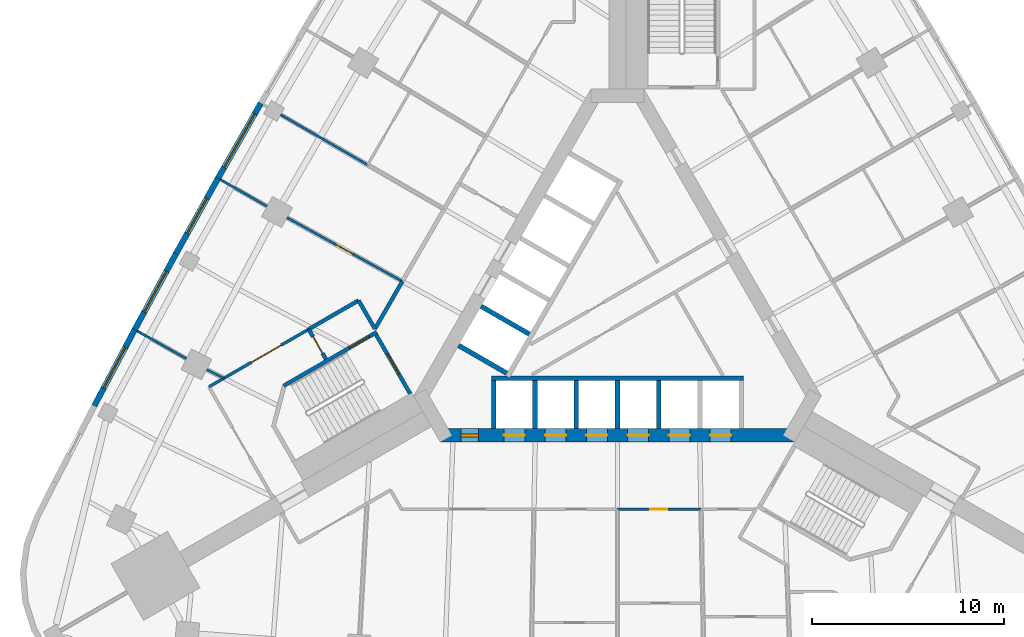
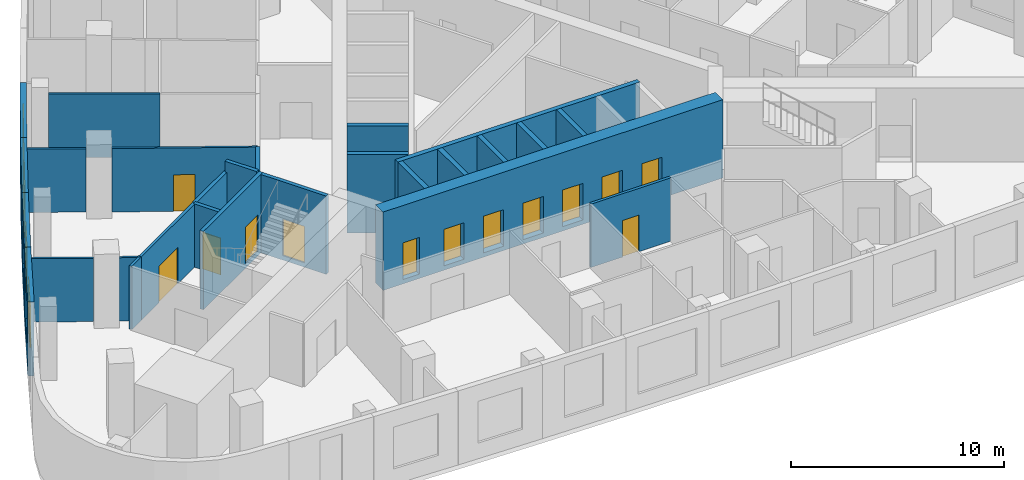
# One storey, part 5 of 11: 27 walls, 13 doors, 4 windows, 17 openings.
"""IFC4 building model written with IfcOpenShell, lengths in metres."""

from ifc_helpers import new_model, si_unit, direction, frame, frame_2d, origin, place, context, subcontext, project, spatial, rectangle, extrude, material, layer, layer_set, type_object, element, fill, save


model = new_model("IFC4")

# Units and contexts
model_context = context("Model", 3, precision=1e-05, world=origin(), true_north=direction((0.0, 1.0)))
body_context = subcontext(model_context, "Body", "Model", "MODEL_VIEW")
ifc_project = project(units=[si_unit("LENGTHUNIT", "METRE"), si_unit("AREAUNIT", "SQUARE_METRE"), si_unit("VOLUMEUNIT", "CUBIC_METRE"), si_unit("PLANEANGLEUNIT", "RADIAN"), si_unit("MASSUNIT", "GRAM", prefix="KILO")], contexts=[model_context])

# Site, building, storey
site_placement = place(None, origin())
site = spatial("IfcSite", under=ifc_project, at=site_placement, CompositionType="ELEMENT")
building_placement = place(site_placement, origin())
building = spatial("IfcBuilding", under=site, at=building_placement, Name="Noor Cloister Tower", CompositionType="ELEMENT")
storey_placement = place(building_placement, frame((0.0, 0.0, 10.5)))
storey = spatial("IfcBuildingStorey", under=building, at=storey_placement, Name="L02", CompositionType="ELEMENT", Elevation=10.5)

# Wall, openings, doors
ifc_material_1 = material(Name="Concrete C80/95", Category="concrete")
ifc_layer_1 = layer(ifc_material_1, 0.699951171875)
ifc_layer_set_1 = layer_set([ifc_layer_1], Name="Core wall 700 C80/95")
wall_type_1 = type_object("IfcWallType", Name="Core wall 700 C80/95", PredefinedType="SHEAR", material=ifc_layer_set_1)
wall_1_placement = place(storey_placement, frame((-9.228759765625, -6.578125, -0.25), z_axis=(0.0, 0.0, 1.0), x_axis=(1.0, 0.0, 0.0)))
wall_1 = element("IfcWall", 1, at=wall_1_placement, inside=storey, type_object=wall_type_1, Name="Core wall L02 1", PredefinedType="SHEAR", context=body_context, shape_type="SweptSolid", body=[
    extrude(rectangle(XDim=18.45751953125, YDim=0.699951171875, at=frame_2d((9.228759765625, 0.0))), origin(), (0.0, 0.0, 1.0), 4.5),
])
opening_1_placement = place(wall_1_placement, frame((3.3037109375, 0.0, 0.25)))
opening_1 = element("IfcOpeningElement", 2, at=opening_1_placement, cuts=wall_1, Name="Opening L02-LR1", PredefinedType="OPENING", context=body_context, shape_type="SweptSolid", body=[
    extrude(rectangle(XDim=1.10009765625, YDim=2.10009765625, at=frame_2d((0.550048828125, 1.050048828125))), frame((0.0, 0.35986328125, 0.0), z_axis=(0.0, -1.0, 0.0), x_axis=(1.0, 0.0, 0.0)), (0.0, 0.0, 1.0), 0.719970703125),
])
opening_2_placement = place(wall_1_placement, frame((5.45361328125, 0.0, 0.25)))
opening_2 = element("IfcOpeningElement", 3, at=opening_2_placement, cuts=wall_1, Name="Opening L02-LR2", PredefinedType="OPENING", context=body_context, shape_type="SweptSolid", body=[
    extrude(rectangle(XDim=1.10009765625, YDim=2.10009765625, at=frame_2d((0.550048828125, 1.050048828125))), frame((0.0, 0.35986328125, 0.0), z_axis=(0.0, -1.0, 0.0), x_axis=(1.0, 0.0, 0.0)), (0.0, 0.0, 1.0), 0.719970703125),
])
opening_3_placement = place(wall_1_placement, frame((7.603759765625, 0.0, 0.25)))
opening_3 = element("IfcOpeningElement", 4, at=opening_3_placement, cuts=wall_1, Name="Opening L02-LR3", PredefinedType="OPENING", context=body_context, shape_type="SweptSolid", body=[
    extrude(rectangle(XDim=1.10009765625, YDim=2.10009765625, at=frame_2d((0.550048828125, 1.050048828125))), frame((0.0, 0.35986328125, 0.0), z_axis=(0.0, -1.0, 0.0), x_axis=(1.0, 0.0, 0.0)), (0.0, 0.0, 1.0), 0.719970703125),
])
opening_4_placement = place(wall_1_placement, frame((9.753662109375, 0.0, 0.25)))
opening_4 = element("IfcOpeningElement", 5, at=opening_4_placement, cuts=wall_1, Name="Opening L02-LR4", PredefinedType="OPENING", context=body_context, shape_type="SweptSolid", body=[
    extrude(rectangle(XDim=1.10009765625, YDim=2.10009765625, at=frame_2d((0.550048828125, 1.050048828125))), frame((0.0, 0.35986328125, 0.0), z_axis=(0.0, -1.0, 0.0), x_axis=(1.0, 0.0, 0.0)), (0.0, 0.0, 1.0), 0.719970703125),
])
opening_5_placement = place(wall_1_placement, frame((11.90380859375, 0.0, 0.25)))
opening_5 = element("IfcOpeningElement", 6, at=opening_5_placement, cuts=wall_1, Name="Opening L02-LR5", PredefinedType="OPENING", context=body_context, shape_type="SweptSolid", body=[
    extrude(rectangle(XDim=1.10009765625, YDim=2.10009765625, at=frame_2d((0.550048828125, 1.050048828125))), frame((0.0, 0.35986328125, 0.0), z_axis=(0.0, -1.0, 0.0), x_axis=(1.0, 0.0, 0.0)), (0.0, 0.0, 1.0), 0.719970703125),
])
opening_6_placement = place(wall_1_placement, frame((14.0537109375, 0.0, 0.25)))
opening_6 = element("IfcOpeningElement", 7, at=opening_6_placement, cuts=wall_1, Name="Opening L02-LR6", PredefinedType="OPENING", context=body_context, shape_type="SweptSolid", body=[
    extrude(rectangle(XDim=1.10009765625, YDim=2.10009765625, at=frame_2d((0.550048828125, 1.050048828125))), frame((0.0, 0.35986328125, 0.0), z_axis=(0.0, -1.0, 0.0), x_axis=(1.0, 0.0, 0.0)), (0.0, 0.0, 1.0), 0.719970703125),
])
opening_7_placement = place(wall_1_placement, frame((1.078857421875, 0.0, 0.25)))
opening_7 = element("IfcOpeningElement", 8, at=opening_7_placement, cuts=wall_1, Name="Opening L02-905", PredefinedType="OPENING", context=body_context, shape_type="SweptSolid", body=[
    extrude(rectangle(XDim=0.89990234375, YDim=2.10009765625, at=frame_2d((0.449951171875, 1.050048828125))), frame((0.0, 0.35986328125, 0.0), z_axis=(0.0, -1.0, 0.0), x_axis=(1.0, 0.0, 0.0)), (0.0, 0.0, 1.0), 0.719970703125),
])
ifc_material_2 = material(Name="Steel", Category="steel")
door_type_1 = type_object("IfcDoorType", Name="Core door 900 x 2100 FD120", OperationType="SINGLE_SWING_LEFT", PredefinedType="DOOR", material=ifc_material_2)
door_1_placement = place(opening_7_placement, origin())
door_1 = element("IfcDoor", 9, at=door_1_placement, inside=storey, type_object=door_type_1, Name="Core door 5 L02", OperationType="SINGLE_SWING_LEFT", OverallHeight=2.10009765625, OverallWidth=0.89990234375, PredefinedType="DOOR", context=body_context, shape_type="SweptSolid", body=[
    extrude(rectangle(XDim=0.89990234375, YDim=2.10009765625, at=frame_2d((0.449951171875, 1.050048828125))), frame((0.0, 0.074951171875, 0.0), z_axis=(0.0, -1.0, 0.0), x_axis=(1.0, 0.0, 0.0)), (0.0, 0.0, 1.0), 0.14990234375),
])
fill(opening_7, door_1)
ifc_material_3 = material(Name="Stainless steel", Category="steel")
door_type_2 = type_object("IfcDoorType", Name="Lift landing door 1100 x 2100", OperationType="DOUBLE_DOOR_SLIDING", PredefinedType="DOOR", material=ifc_material_3)
door_2_placement = place(opening_1_placement, origin())
door_2 = element("IfcDoor", 10, at=door_2_placement, inside=storey, type_object=door_type_2, Name="Landing door LR1 L02", OperationType="DOUBLE_DOOR_SLIDING", OverallHeight=2.10009765625, OverallWidth=1.10009765625, PredefinedType="DOOR", context=body_context, shape_type="SweptSolid", body=[
    extrude(rectangle(XDim=1.10009765625, YDim=2.10009765625, at=frame_2d((0.550048828125, 1.050048828125))), frame((0.0, 0.02490234375, 0.0), z_axis=(0.0, -1.0, 0.0), x_axis=(1.0, 0.0, 0.0)), (0.0, 0.0, 1.0), 0.050048828125),
])
fill(opening_1, door_2)
door_3_placement = place(opening_2_placement, origin())
door_3 = element("IfcDoor", 11, at=door_3_placement, inside=storey, type_object=door_type_2, Name="Landing door LR2 L02", OperationType="DOUBLE_DOOR_SLIDING", OverallHeight=2.10009765625, OverallWidth=1.10009765625, PredefinedType="DOOR", context=body_context, shape_type="SweptSolid", body=[
    extrude(rectangle(XDim=1.10009765625, YDim=2.10009765625, at=frame_2d((0.550048828125, 1.050048828125))), frame((0.0, 0.02490234375, 0.0), z_axis=(0.0, -1.0, 0.0), x_axis=(1.0, 0.0, 0.0)), (0.0, 0.0, 1.0), 0.050048828125),
])
fill(opening_2, door_3)
door_4_placement = place(opening_3_placement, origin())
door_4 = element("IfcDoor", 12, at=door_4_placement, inside=storey, type_object=door_type_2, Name="Landing door LR3 L02", OperationType="DOUBLE_DOOR_SLIDING", OverallHeight=2.10009765625, OverallWidth=1.10009765625, PredefinedType="DOOR", context=body_context, shape_type="SweptSolid", body=[
    extrude(rectangle(XDim=1.10009765625, YDim=2.10009765625, at=frame_2d((0.550048828125, 1.050048828125))), frame((0.0, 0.02490234375, 0.0), z_axis=(0.0, -1.0, 0.0), x_axis=(1.0, 0.0, 0.0)), (0.0, 0.0, 1.0), 0.050048828125),
])
fill(opening_3, door_4)
door_5_placement = place(opening_4_placement, origin())
door_5 = element("IfcDoor", 13, at=door_5_placement, inside=storey, type_object=door_type_2, Name="Landing door LR4 L02", OperationType="DOUBLE_DOOR_SLIDING", OverallHeight=2.10009765625, OverallWidth=1.10009765625, PredefinedType="DOOR", context=body_context, shape_type="SweptSolid", body=[
    extrude(rectangle(XDim=1.10009765625, YDim=2.10009765625, at=frame_2d((0.550048828125, 1.050048828125))), frame((0.0, 0.02490234375, 0.0), z_axis=(0.0, -1.0, 0.0), x_axis=(1.0, 0.0, 0.0)), (0.0, 0.0, 1.0), 0.050048828125),
])
fill(opening_4, door_5)
door_6_placement = place(opening_5_placement, origin())
door_6 = element("IfcDoor", 14, at=door_6_placement, inside=storey, type_object=door_type_2, Name="Landing door LR5 L02", OperationType="DOUBLE_DOOR_SLIDING", OverallHeight=2.10009765625, OverallWidth=1.10009765625, PredefinedType="DOOR", context=body_context, shape_type="SweptSolid", body=[
    extrude(rectangle(XDim=1.10009765625, YDim=2.10009765625, at=frame_2d((0.550048828125, 1.050048828125))), frame((0.0, 0.02490234375, 0.0), z_axis=(0.0, -1.0, 0.0), x_axis=(1.0, 0.0, 0.0)), (0.0, 0.0, 1.0), 0.050048828125),
])
fill(opening_5, door_6)
door_7_placement = place(opening_6_placement, origin())
door_7 = element("IfcDoor", 15, at=door_7_placement, inside=storey, type_object=door_type_2, Name="Landing door LR6 L02", OperationType="DOUBLE_DOOR_SLIDING", OverallHeight=2.10009765625, OverallWidth=1.10009765625, PredefinedType="DOOR", context=body_context, shape_type="SweptSolid", body=[
    extrude(rectangle(XDim=1.10009765625, YDim=2.10009765625, at=frame_2d((0.550048828125, 1.050048828125))), frame((0.0, 0.02490234375, 0.0), z_axis=(0.0, -1.0, 0.0), x_axis=(1.0, 0.0, 0.0)), (0.0, 0.0, 1.0), 0.050048828125),
])
fill(opening_6, door_7)

# Wall, opening, door
ifc_material_4 = material(Name="Plasterboard on steel studs", Category="steel")
ifc_layer_2 = layer(ifc_material_4, 0.14990234375)
ifc_layer_set_2 = layer_set([ifc_layer_2], Name="Corridor wall 150")
wall_type_2 = type_object("IfcWallType", Name="Corridor wall 150", PredefinedType="PARTITIONING", material=ifc_layer_set_2)
wall_2_placement = place(storey_placement, frame((4.35498046875, -10.427978515625, 0.0), z_axis=(0.0, 0.0, 1.0), x_axis=(-1.0, 0.0, 0.0)))
wall_2 = element("IfcWall", 16, at=wall_2_placement, inside=storey, type_object=wall_type_2, Name="Partition", PredefinedType="PARTITIONING", context=body_context, shape_type="SweptSolid", body=[
    extrude(rectangle(XDim=4.35888671875, YDim=0.14990234375, at=frame_2d((2.179443359375, 0.0))), origin(), (0.0, 0.0, 1.0), 3.637939453125),
])
opening_8_placement = place(wall_2_placement, frame((1.75, 0.0, 0.0)))
opening_8 = element("IfcOpeningElement", 17, at=opening_8_placement, cuts=wall_2, Name="Opening L02-009", PredefinedType="OPENING", context=body_context, shape_type="SweptSolid", body=[
    extrude(rectangle(XDim=0.89990234375, YDim=2.10009765625, at=frame_2d((0.449951171875, 1.050048828125))), frame((0.0, 0.0849609375, 0.0), z_axis=(0.0, -1.0, 0.0), x_axis=(1.0, 0.0, 0.0)), (0.0, 0.0, 1.0), 0.169921875),
])
ifc_material_5 = material(Name="Timber door leaf", Category="wood")
door_type_3 = type_object("IfcDoorType", Name="Service room door 900", OperationType="SINGLE_SWING_LEFT", PredefinedType="DOOR", material=ifc_material_5)
door_8_placement = place(opening_8_placement, origin())
door_8 = element("IfcDoor", 18, at=door_8_placement, inside=storey, type_object=door_type_3, Name="Door L02-009", OperationType="SINGLE_SWING_RIGHT", OverallHeight=2.10009765625, OverallWidth=0.89990234375, PredefinedType="DOOR", context=body_context, shape_type="SweptSolid", body=[
    extrude(rectangle(XDim=0.89990234375, YDim=2.10009765625, at=frame_2d((0.449951171875, 1.050048828125))), frame((0.0, 0.02490234375, 0.0), z_axis=(0.0, -1.0, 0.0), x_axis=(1.0, 0.0, 0.0)), (0.0, 0.0, 1.0), 0.050048828125),
])
fill(opening_8, door_8)

# Wall
ifc_material_6 = material(Name="Plasterboard on steel studs", Category="steel")
ifc_layer_3 = layer(ifc_material_6, 0.14990234375)
ifc_layer_set_3 = layer_set([ifc_layer_3], Name="Corridor wall 150 EI 60")
wall_type_3 = type_object("IfcWallType", Name="Corridor wall 150 EI 60", PredefinedType="PARTITIONING", material=ifc_layer_set_3)
wall_3_placement = place(storey_placement, frame((-21.282958984375, -4.048095703125, 0.0), z_axis=(0.0, 0.0, 1.0), x_axis=(0.865804825377, 0.500381858538, 0.0)))
element("IfcWall", 19, at=wall_3_placement, inside=storey, type_object=wall_type_3, Name="Partition", PredefinedType="PARTITIONING", context=body_context, shape_type="SweptSolid", body=[
    extrude(rectangle(XDim=0.897216796875, YDim=0.14990234375, at=frame_2d((0.44873046875, 0.0))), origin(), (0.0, 0.0, 1.0), 3.637939453125),
])

# Wall, opening, door
wall_4_placement = place(storey_placement, frame((-16.087890625, -1.049072265625, 0.0), z_axis=(0.0, 0.0, 1.0), x_axis=(-0.866023883975, -0.500002632377, 0.0)))
wall_4 = element("IfcWall", 20, at=wall_4_placement, inside=storey, type_object=wall_type_3, Name="Partition", PredefinedType="PARTITIONING", context=body_context, shape_type="SweptSolid", body=[
    extrude(rectangle(XDim=5.10400390625, YDim=0.14990234375, at=frame_2d((2.552001953125, 0.0))), origin(), (0.0, 0.0, 1.0), 3.637939453125),
])
opening_9_placement = place(wall_4_placement, frame((1.64990234375, 0.0, 0.0)))
opening_9 = element("IfcOpeningElement", 21, at=opening_9_placement, cuts=wall_4, Name="Opening L02-015", PredefinedType="OPENING", context=body_context, shape_type="SweptSolid", body=[
    extrude(rectangle(XDim=1.800048828125, YDim=2.10009765625, at=frame_2d((0.89990234375, 1.050048828125))), frame((0.0, 0.0849609375, 0.0), z_axis=(0.0, -1.0, 0.0), x_axis=(1.0, 0.0, 0.0)), (0.0, 0.0, 1.0), 0.169921875),
])
ifc_material_7 = material(Name="Timber door leaf", Category="wood")
door_type_4 = type_object("IfcDoorType", Name="Double leaf door 1800 FD60", OperationType="DOUBLE_DOOR_SINGLE_SWING", PredefinedType="DOOR", material=ifc_material_7)
door_9_placement = place(opening_9_placement, origin())
door_9 = element("IfcDoor", 22, at=door_9_placement, inside=storey, type_object=door_type_4, Name="Door L02-015", OperationType="DOUBLE_DOOR_SINGLE_SWING", OverallHeight=2.10009765625, OverallWidth=1.800048828125, PredefinedType="DOOR", context=body_context, shape_type="SweptSolid", body=[
    extrude(rectangle(XDim=1.800048828125, YDim=2.10009765625, at=frame_2d((0.89990234375, 1.050048828125))), frame((0.0, 0.02490234375, 0.0), z_axis=(0.0, -1.0, 0.0), x_axis=(1.0, 0.0, 0.0)), (0.0, 0.0, 1.0), 0.050048828125),
])
fill(opening_9, door_9)

ifc_material_8 = material(Name="Reinforced blockwork", Category="masonry")
ifc_layer_4 = layer(ifc_material_8, 0.199951171875)
ifc_layer_set_4 = layer_set([ifc_layer_4], Name="Fire rated block wall 200")
wall_type_4 = type_object("IfcWallType", Name="Fire rated block wall 200", PredefinedType="PARTITIONING", material=ifc_layer_set_4)
wall_5_placement = place(storey_placement, frame((-15.18798828125, -2.60693359375, 0.0), z_axis=(0.0, 0.0, 1.0), x_axis=(-0.500024172624, 0.866011447264, 0.0)))
wall_5 = element("IfcWall", 23, at=wall_5_placement, inside=storey, type_object=wall_type_4, Name="Fire rated wall", PredefinedType="PARTITIONING", context=body_context, shape_type="SweptSolid", body=[
    extrude(rectangle(XDim=1.7978515625, YDim=0.199951171875, at=frame_2d((0.89892578125, 0.0))), origin(), (0.0, 0.0, 1.0), 3.637939453125),
])
opening_10_placement = place(wall_5_placement, frame((0.35009765625, 0.0, 0.0)))
opening_10 = element("IfcOpeningElement", 24, at=opening_10_placement, cuts=wall_5, Name="Opening L02-033", PredefinedType="OPENING", context=body_context, shape_type="SweptSolid", body=[
    extrude(rectangle(XDim=1.0, YDim=2.10009765625, at=frame_2d((0.5, 1.050048828125))), frame((0.0, 0.10986328125, 0.0), z_axis=(0.0, -1.0, 0.0), x_axis=(1.0, 0.0, 0.0)), (0.0, 0.0, 1.0), 0.219970703125),
])
ifc_material_9 = material(Name="Steel fire door", Category="steel")
door_type_5 = type_object("IfcDoorType", Name="Fire door FD60 1000", OperationType="SINGLE_SWING_LEFT", PredefinedType="DOOR", material=ifc_material_9)
door_10_placement = place(opening_10_placement, origin())
door_10 = element("IfcDoor", 25, at=door_10_placement, inside=storey, type_object=door_type_5, Name="Door L02-033", OperationType="SINGLE_SWING_LEFT", OverallHeight=2.10009765625, OverallWidth=1.0, PredefinedType="DOOR", context=body_context, shape_type="SweptSolid", body=[
    extrude(rectangle(XDim=1.0, YDim=2.10009765625, at=frame_2d((0.5, 1.050048828125))), frame((0.0, 0.02490234375, 0.0), z_axis=(0.0, -1.0, 0.0), x_axis=(1.0, 0.0, 0.0)), (0.0, 0.0, 1.0), 0.050048828125),
])
fill(opening_10, door_10)

# Walls
wall_6_placement = place(storey_placement, frame((-16.0869140625, -1.048095703125, 0.0), z_axis=(0.0, 0.0, 1.0), x_axis=(0.865988915629, 0.500063194015, 0.0)))
element("IfcWall", 26, at=wall_6_placement, inside=storey, type_object=wall_type_4, Name="Fire rated wall", PredefinedType="PARTITIONING", context=body_context, shape_type="SweptSolid", body=[
    extrude(rectangle(XDim=2.99755859375, YDim=0.199951171875, at=frame_2d((1.498779296875, 0.0))), origin(), (0.0, 0.0, 1.0), 3.637939453125),
])
wall_7_placement = place(storey_placement, frame((-13.489013671875, 0.450927734375, 0.0), z_axis=(0.0, 0.0, 1.0), x_axis=(0.500044178772, -0.865999895656, 0.0)))
element("IfcWall", 27, at=wall_7_placement, inside=storey, type_object=wall_type_4, Name="Fire rated wall", PredefinedType="PARTITIONING", context=body_context, shape_type="SweptSolid", body=[
    extrude(rectangle(XDim=1.707763671875, YDim=0.199951171875, at=frame_2d((0.85400390625, 0.0))), origin(), (0.0, 0.0, 1.0), 4.25),
])
wall_8_placement = place(storey_placement, frame((-12.635009765625, -1.028076171875, 0.0), z_axis=(0.0, 0.0, 1.0), x_axis=(0.499801250411, 0.866140121509, 0.0)))
element("IfcWall", 28, at=wall_8_placement, inside=storey, type_object=wall_type_4, Name="Fire rated wall", PredefinedType="PARTITIONING", context=body_context, shape_type="SweptSolid", body=[
    extrude(rectangle(XDim=2.861083984375, YDim=0.199951171875, at=frame_2d((1.4306640625, 0.0))), origin(), (0.0, 0.0, 1.0), 3.637939453125),
])

# Wall, opening, window
ifc_material_10 = material(Name="Limestone", Category="masonry")
ifc_layer_5 = layer(ifc_material_10, 0.300048828125)
ifc_layer_set_5 = layer_set([ifc_layer_5], Name="Limestone panel wall 300")
wall_type_5 = type_object("IfcWallType", Name="Limestone panel wall 300", PredefinedType="NOTDEFINED", material=ifc_layer_set_5)
wall_9_placement = place(storey_placement, frame((-20.81103515625, 6.822509765625, 0.0), z_axis=(0.0, 0.0, 1.0), x_axis=(0.495524760411, 0.868593812907, 0.0)))
wall_9 = element("IfcWall", 29, at=wall_9_placement, inside=storey, type_object=wall_type_5, Name="Limestone wall L02 NW 6", PredefinedType="NOTDEFINED", context=body_context, shape_type="SweptSolid", body=[
    extrude(rectangle(XDim=4.495849609375, YDim=0.300048828125, at=frame_2d((2.248046875, 0.0))), origin(), (0.0, 0.0, 1.0), 4.25),
])
opening_11_placement = place(wall_9_placement, frame((0.64794921875, 0.0, 0.800048828125)))
opening_11 = element("IfcOpeningElement", 30, at=opening_11_placement, cuts=wall_9, Name="Opening L02-W06", PredefinedType="OPENING", context=body_context, shape_type="SweptSolid", body=[
    extrude(rectangle(XDim=3.199951171875, YDim=2.699951171875, at=frame_2d((1.60009765625, 1.35009765625))), frame((0.0, 0.16015625, 0.0), z_axis=(0.0, -1.0, 0.0), x_axis=(1.0, 0.0, 0.0)), (0.0, 0.0, 1.0), 0.320068359375),
])
ifc_material_11 = material(Name="Aluminium 6063-T6 anodised", Category="aluminium")
window_type_1 = type_object("IfcWindowType", Name="Waiting room window 3200 x 2700", PartitioningType="TRIPLE_PANEL_VERTICAL", PredefinedType="WINDOW", material=ifc_material_11)
window_1_placement = place(opening_11_placement, origin())
window_1 = element("IfcWindow", 31, at=window_1_placement, inside=storey, type_object=window_type_1, Name="Window L02 6", OverallHeight=2.699951171875, OverallWidth=3.199951171875, PartitioningType="TRIPLE_PANEL_VERTICAL", PredefinedType="WINDOW", context=body_context, shape_type="SweptSolid", body=[
    extrude(rectangle(XDim=3.199951171875, YDim=2.699951171875, at=frame_2d((1.60009765625, 1.35009765625))), frame((0.0, 0.030029296875, 0.0), z_axis=(0.0, -1.0, 0.0), x_axis=(1.0, 0.0, 0.0)), (0.0, 0.0, 1.0), 0.06005859375),
])
fill(opening_11, window_1)

wall_10_placement = place(storey_placement, frame((-23.0, 2.892578125, 0.0), z_axis=(0.0, 0.0, 1.0), x_axis=(0.486606252415, 0.873621402617, 0.0)))
wall_10 = element("IfcWall", 32, at=wall_10_placement, inside=storey, type_object=wall_type_5, Name="Limestone wall L02 NW 7", PredefinedType="NOTDEFINED", context=body_context, shape_type="SweptSolid", body=[
    extrude(rectangle(XDim=4.495849609375, YDim=0.300048828125, at=frame_2d((2.248046875, 0.0))), origin(), (0.0, 0.0, 1.0), 4.25),
])
opening_12_placement = place(wall_10_placement, frame((1.197998046875, 0.0, 0.800048828125)))
opening_12 = element("IfcOpeningElement", 33, at=opening_12_placement, cuts=wall_10, Name="Opening L02-W07", PredefinedType="OPENING", context=body_context, shape_type="SweptSolid", body=[
    extrude(rectangle(XDim=2.10009765625, YDim=3.0, at=frame_2d((1.050048828125, 1.5))), frame((0.0, 0.16015625, 0.0), z_axis=(0.0, -1.0, 0.0), x_axis=(1.0, 0.0, 0.0)), (0.0, 0.0, 1.0), 0.320068359375),
])
ifc_material_12 = material(Name="Aluminium 6063-T6 anodised", Category="aluminium")
window_type_2 = type_object("IfcWindowType", Name="Therapy window 2100 x 3000", PartitioningType="DOUBLE_PANEL_HORIZONTAL", PredefinedType="WINDOW", material=ifc_material_12)
window_2_placement = place(opening_12_placement, origin())
window_2 = element("IfcWindow", 34, at=window_2_placement, inside=storey, type_object=window_type_2, Name="Window L02 7", OverallHeight=3.0, OverallWidth=2.10009765625, PartitioningType="DOUBLE_PANEL_HORIZONTAL", PredefinedType="WINDOW", context=body_context, shape_type="SweptSolid", body=[
    extrude(rectangle(XDim=2.10009765625, YDim=3.0, at=frame_2d((1.050048828125, 1.5))), frame((0.0, 0.030029296875, 0.0), z_axis=(0.0, -1.0, 0.0), x_axis=(1.0, 0.0, 0.0)), (0.0, 0.0, 1.0), 0.06005859375),
])
fill(opening_12, window_2)

wall_11_placement = place(storey_placement, frame((-25.1484375, -1.059814453125, 0.0), z_axis=(0.0, 0.0, 1.0), x_axis=(0.477577109439, 0.878589838628, 0.0)))
wall_11 = element("IfcWall", 35, at=wall_11_placement, inside=storey, type_object=wall_type_5, Name="Limestone wall L02 NW 8", PredefinedType="NOTDEFINED", context=body_context, shape_type="SweptSolid", body=[
    extrude(rectangle(XDim=4.49609375, YDim=0.300048828125, at=frame_2d((2.248046875, 0.0))), origin(), (0.0, 0.0, 1.0), 4.25),
])
opening_13_placement = place(wall_11_placement, frame((1.048095703125, 0.0, 0.89990234375)))
opening_13 = element("IfcOpeningElement", 36, at=opening_13_placement, cuts=wall_11, Name="Opening L02-W08", PredefinedType="OPENING", context=body_context, shape_type="SweptSolid", body=[
    extrude(rectangle(XDim=2.39990234375, YDim=2.39990234375, at=frame_2d((1.199951171875, 1.199951171875))), frame((0.0, 0.16015625, 0.0), z_axis=(0.0, -1.0, 0.0), x_axis=(1.0, 0.0, 0.0)), (0.0, 0.0, 1.0), 0.320068359375),
])
ifc_material_13 = material(Name="Aluminium 6063-T6 anodised", Category="aluminium")
window_type_3 = type_object("IfcWindowType", Name="Clinic window 2400 x 2400", PartitioningType="DOUBLE_PANEL_VERTICAL", PredefinedType="WINDOW", material=ifc_material_13)
window_3_placement = place(opening_13_placement, origin())
window_3 = element("IfcWindow", 37, at=window_3_placement, inside=storey, type_object=window_type_3, Name="Window L02 8", OverallHeight=2.39990234375, OverallWidth=2.39990234375, PartitioningType="DOUBLE_PANEL_VERTICAL", PredefinedType="WINDOW", context=body_context, shape_type="SweptSolid", body=[
    extrude(rectangle(XDim=2.39990234375, YDim=2.39990234375, at=frame_2d((1.199951171875, 1.199951171875))), frame((0.0, 0.030029296875, 0.0), z_axis=(0.0, -1.0, 0.0), x_axis=(1.0, 0.0, 0.0)), (0.0, 0.0, 1.0), 0.06005859375),
])
fill(opening_13, window_3)

wall_12_placement = place(storey_placement, frame((-27.25634765625, -5.03369140625, 0.0), z_axis=(0.0, 0.0, 1.0), x_axis=(0.468566202388, 0.883428386447, 0.0)))
wall_12 = element("IfcWall", 38, at=wall_12_placement, inside=storey, type_object=wall_type_5, Name="Limestone wall L02 NW 9", PredefinedType="NOTDEFINED", context=body_context, shape_type="SweptSolid", body=[
    extrude(rectangle(XDim=4.49609375, YDim=0.300048828125, at=frame_2d((2.248046875, 0.0))), origin(), (0.0, 0.0, 1.0), 4.25),
])
opening_14_placement = place(wall_12_placement, frame((1.048095703125, 0.0, 0.89990234375)))
opening_14 = element("IfcOpeningElement", 39, at=opening_14_placement, cuts=wall_12, Name="Opening L02-W09", PredefinedType="OPENING", context=body_context, shape_type="SweptSolid", body=[
    extrude(rectangle(XDim=2.39990234375, YDim=2.39990234375, at=frame_2d((1.199951171875, 1.199951171875))), frame((0.0, 0.16015625, 0.0), z_axis=(0.0, -1.0, 0.0), x_axis=(1.0, 0.0, 0.0)), (0.0, 0.0, 1.0), 0.320068359375),
])
window_4_placement = place(opening_14_placement, origin())
window_4 = element("IfcWindow", 40, at=window_4_placement, inside=storey, type_object=window_type_3, Name="Window L02 9", OverallHeight=2.39990234375, OverallWidth=2.39990234375, PartitioningType="DOUBLE_PANEL_VERTICAL", PredefinedType="WINDOW", context=body_context, shape_type="SweptSolid", body=[
    extrude(rectangle(XDim=2.39990234375, YDim=2.39990234375, at=frame_2d((1.199951171875, 1.199951171875))), frame((0.0, 0.030029296875, 0.0), z_axis=(0.0, -1.0, 0.0), x_axis=(1.0, 0.0, 0.0)), (0.0, 0.0, 1.0), 0.06005859375),
])
fill(opening_14, window_4)

# Walls
ifc_material_14 = material(Name="Plasterboard on steel studs", Category="steel")
ifc_layer_6 = layer(ifc_material_14, 0.1201171875)
ifc_layer_set_6 = layer_set([ifc_layer_6], Name="Partition wall 120 EI 60")
wall_type_6 = type_object("IfcWallType", Name="Partition wall 120 EI 60", PredefinedType="PARTITIONING", material=ifc_layer_set_6)
wall_13_placement = place(storey_placement, frame((-22.4609375, -2.583984375, 0.0), z_axis=(0.0, 0.0, 1.0), x_axis=(-0.870620069476, 0.491955988505, 0.0)))
element("IfcWall", 41, at=wall_13_placement, inside=storey, type_object=wall_type_6, Name="Partition", PredefinedType="PARTITIONING", context=body_context, shape_type="SweptSolid", body=[
    extrude(rectangle(XDim=2.939453125, YDim=0.1201171875, at=frame_2d((1.4697265625, 0.0))), origin(), (0.0, 0.0, 1.0), 3.633056640625),
])
wall_14_placement = place(storey_placement, frame((-20.509033203125, -3.60107421875, 0.0), z_axis=(0.0, 0.0, 1.0), x_axis=(-0.892710007007, 0.450631604961, 0.0)))
element("IfcWall", 42, at=wall_14_placement, inside=storey, type_object=wall_type_6, Name="Partition", PredefinedType="PARTITIONING", context=body_context, shape_type="SweptSolid", body=[
    extrude(rectangle(XDim=0.9990234375, YDim=0.1201171875, at=frame_2d((0.49951171875, 0.0))), origin(), (0.0, 0.0, 1.0), 3.637939453125),
])
wall_15_placement = place(storey_placement, frame((-18.260009765625, 5.35595703125, 0.0), z_axis=(0.0, 0.0, 1.0), x_axis=(-0.867283853893, 0.49781393791, 0.0)))
element("IfcWall", 43, at=wall_15_placement, inside=storey, type_object=wall_type_6, Name="Partition", PredefinedType="PARTITIONING", context=body_context, shape_type="SweptSolid", body=[
    extrude(rectangle(XDim=2.79248046875, YDim=0.1201171875, at=frame_2d((1.396240234375, 0.0))), origin(), (0.0, 0.0, 1.0), 3.633056640625),
])

# Wall, opening, door
wall_16_placement = place(storey_placement, frame((-11.2080078125, 1.446044921875, 0.0), z_axis=(0.0, 0.0, 1.0), x_axis=(-0.875125393946, 0.483896212912, 0.0)))
wall_16 = element("IfcWall", 44, at=wall_16_placement, inside=storey, type_object=wall_type_6, Name="Partition", PredefinedType="PARTITIONING", context=body_context, shape_type="SweptSolid", body=[
    extrude(rectangle(XDim=6.863037109375, YDim=0.1201171875, at=frame_2d((3.431640625, 0.0))), origin(), (0.0, 0.0, 1.0), 3.637939453125),
])
opening_15_placement = place(wall_16_placement, frame((2.949951171875, 0.0, 0.0)))
opening_15 = element("IfcOpeningElement", 45, at=opening_15_placement, cuts=wall_16, Name="Opening L02-018", PredefinedType="OPENING", context=body_context, shape_type="SweptSolid", body=[
    extrude(rectangle(XDim=1.0, YDim=2.10009765625, at=frame_2d((0.5, 1.050048828125))), frame((0.0, 0.070068359375, 0.0), z_axis=(0.0, -1.0, 0.0), x_axis=(1.0, 0.0, 0.0)), (0.0, 0.0, 1.0), 0.14013671875),
])
ifc_material_15 = material(Name="Timber door leaf", Category="wood")
door_type_6 = type_object("IfcDoorType", Name="WC block door 1000 FD60", OperationType="SINGLE_SWING_LEFT", PredefinedType="DOOR", material=ifc_material_15)
door_11_placement = place(opening_15_placement, origin())
door_11 = element("IfcDoor", 46, at=door_11_placement, inside=storey, type_object=door_type_6, Name="Door L02-018", OperationType="SINGLE_SWING_LEFT", OverallHeight=2.10009765625, OverallWidth=1.0, PredefinedType="DOOR", context=body_context, shape_type="SweptSolid", body=[
    extrude(rectangle(XDim=1.0, YDim=2.10009765625, at=frame_2d((0.5, 1.050048828125))), frame((0.0, 0.02490234375, 0.0), z_axis=(0.0, -1.0, 0.0), x_axis=(1.0, 0.0, 0.0)), (0.0, 0.0, 1.0), 0.050048828125),
])
fill(opening_15, door_11)

# Walls
wall_17_placement = place(storey_placement, frame((-13.01708984375, 7.514892578125, 0.0), z_axis=(0.0, 0.0, 1.0), x_axis=(-0.866023771128, 0.500002827834, 0.0)))
element("IfcWall", 47, at=wall_17_placement, inside=storey, type_object=wall_type_6, Name="Partition", PredefinedType="PARTITIONING", context=body_context, shape_type="SweptSolid", body=[
    extrude(rectangle(XDim=5.22607421875, YDim=0.1201171875, at=frame_2d((2.613037109375, 0.0))), origin(), (0.0, 0.0, 1.0), 3.637939453125),
])
ifc_material_16 = material(Name="Concrete C80/95", Category="concrete")
ifc_layer_7 = layer(ifc_material_16, 0.25)
ifc_layer_set_7 = layer_set([ifc_layer_7], Name="Shaft wall 250 C80/95")
wall_type_7 = type_object("IfcWallType", Name="Shaft wall 250 C80/95", PredefinedType="PARTITIONING", material=ifc_layer_set_7)
for number, where, z_axis, x_axis, name in (
    (48, (-6.449951171875, -6.228271484375, -0.25), (0.0, 0.0, 1.0), (0.0, 1.0, 0.0), "Lift shaft wall L02 S 1"),
    (49, (-4.300048828125, -6.228271484375, -0.25), (0.0, 0.0, 1.0), (0.0, 1.0, 0.0), "Lift shaft wall L02 S 2"),
    (50, (-2.14990234375, -6.228271484375, -0.25), (0.0, 0.0, 1.0), (0.0, 1.0, 0.0), "Lift shaft wall L02 S 3"),
    (51, (0.0, -6.228271484375, -0.25), (0.0, 0.0, 1.0), (0.0, 1.0, 0.0), "Lift shaft wall L02 S 4"),
    (52, (2.14990234375, -6.228271484375, -0.25), (0.0, 0.0, 1.0), (0.0, 1.0, 0.0), "Lift shaft wall L02 S 5"),
):
    element("IfcWall", number, at=place(storey_placement, frame(where, z_axis=z_axis, x_axis=x_axis)), inside=storey, type_object=wall_type_7, Name=name, PredefinedType="PARTITIONING", context=body_context, shape_type="SweptSolid", body=[
        extrude(rectangle(XDim=2.5, YDim=0.25, at=frame_2d((1.25, 0.0))), origin(), (0.0, 0.0, 1.0), 4.5),
    ])
wall_18_placement = place(storey_placement, frame((-6.574951171875, -3.603271484375, 0.0), z_axis=(0.0, 0.0, 1.0), x_axis=(1.0, 0.0, 0.0)))
element("IfcWall", 53, at=wall_18_placement, inside=storey, type_object=wall_type_7, Name="Lift shaft back wall L02 S", PredefinedType="PARTITIONING", context=body_context, shape_type="SweptSolid", body=[
    extrude(rectangle(XDim=13.14990234375, YDim=0.25, at=frame_2d((6.574951171875, 0.0))), origin(), (0.0, 0.0, 1.0), 4.25),
])
for number, where, z_axis, x_axis, name in (
    (54, (-7.106201171875, 0.14794921875, -0.25), (0.0, 0.0, 1.0), (0.866032775405, -0.499987231761, 0.0), "Lift shaft wall L02 NW 5"),
    (55, (-8.28125, -1.88720703125, -0.25), (0.0, 0.0, 1.0), (0.866032775405, -0.499987231761, 0.0), "Lift shaft wall L02 NW 6"),
):
    element("IfcWall", number, at=place(storey_placement, frame(where, z_axis=z_axis, x_axis=x_axis)), inside=storey, type_object=wall_type_7, Name=name, PredefinedType="PARTITIONING", context=body_context, shape_type="SweptSolid", body=[
        extrude(rectangle(XDim=2.89990234375, YDim=0.25, at=frame_2d((1.449951171875, 0.0))), origin(), (0.0, 0.0, 1.0), 4.5),
    ])

# Wall, opening, door
ifc_material_17 = material(Name="Concrete C80/95", Category="concrete")
ifc_layer_8 = layer(ifc_material_17, 0.199951171875)
ifc_layer_set_8 = layer_set([ifc_layer_8], Name="Stair enclosure wall 200 C80/95")
wall_type_8 = type_object("IfcWallType", Name="Stair enclosure wall 200 C80/95", PredefinedType="SHEAR", material=ifc_layer_set_8)
wall_19_placement = place(storey_placement, frame((-12.575927734375, -1.33056640625, -0.25), z_axis=(0.0, 0.0, 1.0), x_axis=(0.499970499736, -0.8660424351, 0.0)))
wall_19 = element("IfcWall", 56, at=wall_19_placement, inside=storey, type_object=wall_type_8, Name="Stair enclosure wall ST2 L02 near end", PredefinedType="SHEAR", context=body_context, shape_type="SweptSolid", body=[
    extrude(rectangle(XDim=3.550048828125, YDim=0.199951171875, at=frame_2d((1.77490234375, 0.0))), origin(), (0.0, 0.0, 1.0), 4.5),
])
opening_16_placement = place(wall_19_placement, frame((1.175048828125, 0.0, 0.25)))
opening_16 = element("IfcOpeningElement", 57, at=opening_16_placement, cuts=wall_19, Name="Opening L02-ST2L", PredefinedType="OPENING", context=body_context, shape_type="SweptSolid", body=[
    extrude(rectangle(XDim=1.199951171875, YDim=2.10009765625, at=frame_2d((0.60009765625, 1.050048828125))), frame((0.0, 0.10986328125, 0.0), z_axis=(0.0, -1.0, 0.0), x_axis=(1.0, 0.0, 0.0)), (0.0, 0.0, 1.0), 0.219970703125),
])
ifc_material_18 = material(Name="Steel", Category="steel")
door_type_7 = type_object("IfcDoorType", Name="Stair door 1200 x 2100 FD120", OperationType="SINGLE_SWING_LEFT", PredefinedType="DOOR", material=ifc_material_18)
door_12_placement = place(opening_16_placement, origin())
door_12 = element("IfcDoor", 58, at=door_12_placement, inside=storey, type_object=door_type_7, Name="Stair door ST2 L02", OperationType="SINGLE_SWING_RIGHT", OverallHeight=2.10009765625, OverallWidth=1.199951171875, PredefinedType="DOOR", context=body_context, shape_type="SweptSolid", body=[
    extrude(rectangle(XDim=1.199951171875, YDim=2.10009765625, at=frame_2d((0.60009765625, 1.050048828125))), frame((0.0, 0.02490234375, 0.0), z_axis=(0.0, -1.0, 0.0), x_axis=(1.0, 0.0, 0.0)), (0.0, 0.0, 1.0), 0.050048828125),
])
fill(opening_16, door_12)

wall_20_placement = place(storey_placement, frame((-12.539306640625, -1.194091796875, -0.25), z_axis=(0.0, 0.0, 1.0), x_axis=(-0.866045472092, -0.499965239061, 0.0)))
wall_20 = element("IfcWall", 59, at=wall_20_placement, inside=storey, type_object=wall_type_8, Name="Stair enclosure wall ST2 L02 outer side", PredefinedType="SHEAR", context=body_context, shape_type="SweptSolid", body=[
    extrude(rectangle(XDim=5.60009765625, YDim=0.199951171875, at=frame_2d((2.800048828125, 0.0))), origin(), (0.0, 0.0, 1.0), 4.5),
])
opening_17_placement = place(wall_20_placement, frame((0.449951171875, 0.0, 0.25)))
opening_17 = element("IfcOpeningElement", 60, at=opening_17_placement, cuts=wall_20, Name="Opening L02-ST2C", PredefinedType="OPENING", context=body_context, shape_type="SweptSolid", body=[
    extrude(rectangle(XDim=1.199951171875, YDim=2.10009765625, at=frame_2d((0.60009765625, 1.050048828125))), frame((0.0, 0.10986328125, 0.0), z_axis=(0.0, -1.0, 0.0), x_axis=(1.0, 0.0, 0.0)), (0.0, 0.0, 1.0), 0.219970703125),
])
door_13_placement = place(opening_17_placement, origin())
door_13 = element("IfcDoor", 61, at=door_13_placement, inside=storey, type_object=door_type_7, Name="Stair door ST2 L02", OperationType="SINGLE_SWING_LEFT", OverallHeight=2.10009765625, OverallWidth=1.199951171875, PredefinedType="DOOR", context=body_context, shape_type="SweptSolid", body=[
    extrude(rectangle(XDim=1.199951171875, YDim=2.10009765625, at=frame_2d((0.60009765625, 1.050048828125))), frame((0.0, 0.02490234375, 0.0), z_axis=(0.0, -1.0, 0.0), x_axis=(1.0, 0.0, 0.0)), (0.0, 0.0, 1.0), 0.050048828125),
])
fill(opening_17, door_13)

save(model, "model.ifc")
